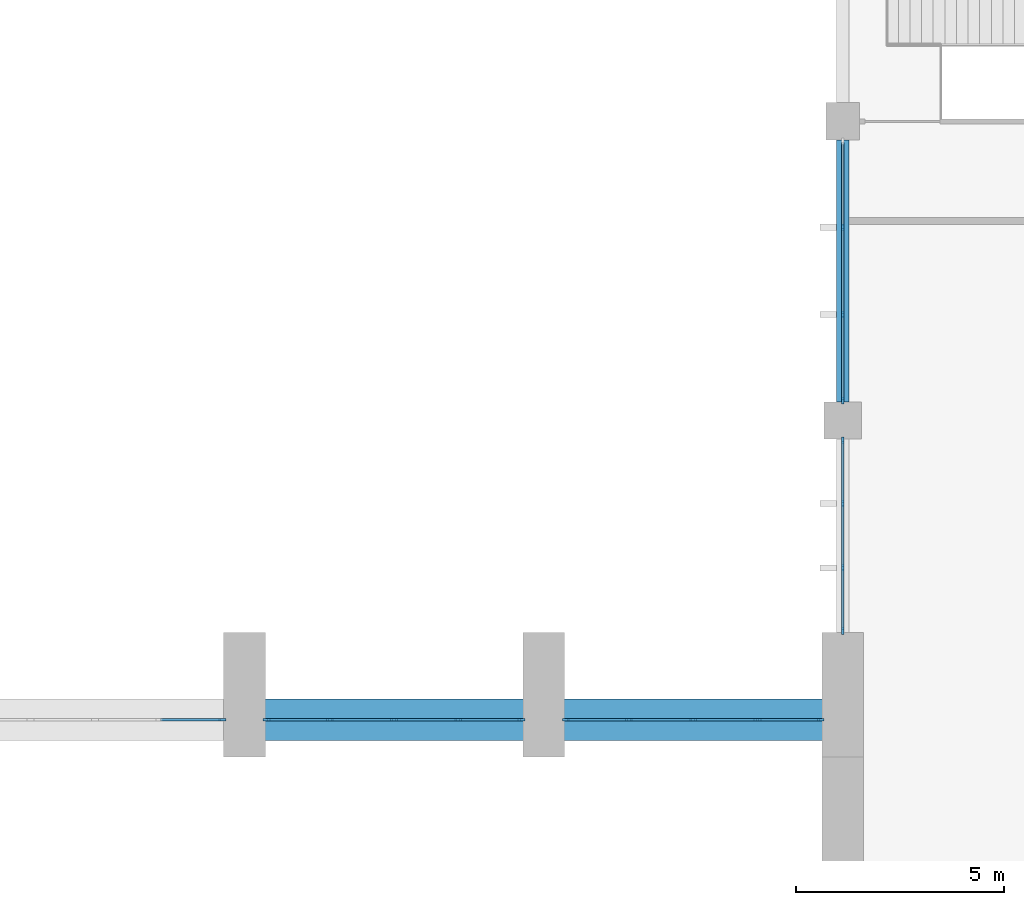
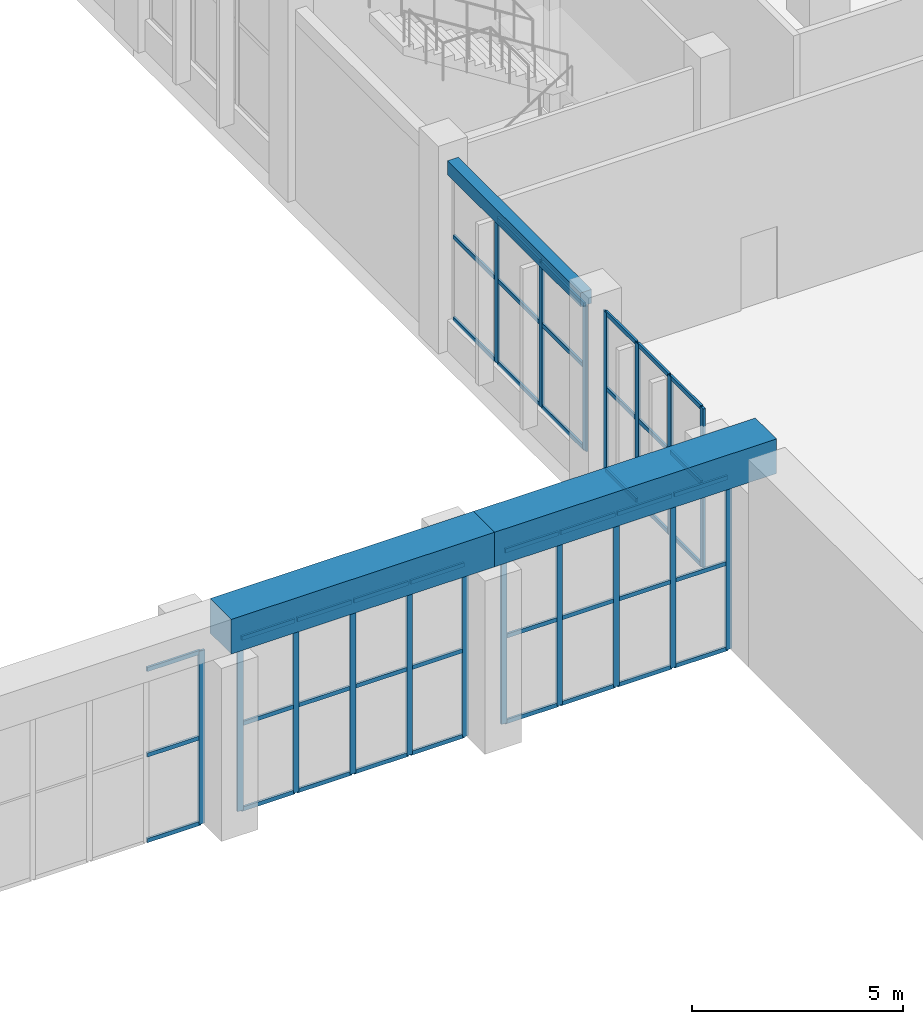
# One storey, part 13 of 44: 62 members, 3 beams, 5 elements without a shape of their own.
"""IFC4 building model written with IfcOpenShell, lengths in metres."""

from ifc_helpers import new_model, si_unit, direction, frame, origin, origin_2d, place, context, subcontext, project, spatial, rectangle, extrude, material, layer, layer_set, material_profile, profile_set, type_object, element, aggregate, save


model = new_model("IFC4")

# Units and contexts
model_context = context("Model", 3, precision=1e-05, world=origin(), true_north=direction((0.0, 1.0)))
body_context = subcontext(model_context, "Body", "Model", "MODEL_VIEW")
ifc_project = project(units=[si_unit("LENGTHUNIT", "METRE"), si_unit("AREAUNIT", "SQUARE_METRE"), si_unit("VOLUMEUNIT", "CUBIC_METRE"), si_unit("PLANEANGLEUNIT", "RADIAN"), si_unit("MASSUNIT", "GRAM", prefix="KILO")], contexts=[model_context])

# Site, building, storey
site_placement = place(None, origin())
site = spatial("IfcSite", under=ifc_project, at=site_placement, CompositionType="ELEMENT")
building_placement = place(site_placement, origin())
building = spatial("IfcBuilding", under=site, at=building_placement, Name="Vermilion Court Aquatics Centre", CompositionType="ELEMENT")
storey_placement = place(building_placement, frame((0.0, 0.0, 6.0)))
storey = spatial("IfcBuildingStorey", under=building, at=storey_placement, Name="L01", CompositionType="ELEMENT", Elevation=6.0)

# Curtain wall, member
ifc_material_1 = material(Name="Aluminium 6063-T5", Category="aluminium")
curtain_wall_type_1 = type_object("IfcCurtainWallType", Name="Envelope curtain wall hall clerestory L01", PredefinedType="NOTDEFINED", material=ifc_material_1)
curtain_wall_1_placement = place(storey_placement, origin())
curtain_wall_1 = element("IfcCurtainWall", 1, at=curtain_wall_1_placement, inside=storey, type_object=curtain_wall_type_1, Name="Hall clerestory bay 16 L01", PredefinedType="NOTDEFINED")
ifc_material_2 = material(Name="Aluminium 6063-T5", Category="aluminium")
ifc_material_profile_1 = material_profile(ifc_material_2, rectangle(XDim=0.06005859375, YDim=0.159912109375, at=origin_2d()), Name="AL 60x160")
ifc_profile_set_1 = profile_set([ifc_material_profile_1], Name="Aluminium 6063-T5")
member_type_1 = type_object("IfcMemberType", Name="Envelope aluminium mullion 60x160", PredefinedType="MULLION", material=ifc_profile_set_1)
member_1_placement = place(storey_placement, frame((129.070068359375, 64.800048828125, 0.0), z_axis=(0.0, 0.0, 1.0), x_axis=(0.0, 1.0, 0.0)))
member_1 = element("IfcMember", 2, at=member_1_placement, type_object=member_type_1, Name="ECW2 mullion 5", PredefinedType="MULLION", context=body_context, shape_type="SweptSolid", body=[
    extrude(rectangle(XDim=0.06005859375, YDim=0.159912109375, at=origin_2d()), origin(), (0.0, 0.0, 1.0), 5.0),
])

# Curtain wall, members
curtain_wall_2_placement = place(storey_placement, origin())
curtain_wall_2 = element("IfcCurtainWall", 3, at=curtain_wall_2_placement, inside=storey, type_object=curtain_wall_type_1, Name="Hall clerestory bay 17 L01", PredefinedType="NOTDEFINED")
member_2_placement = place(storey_placement, frame((130.1298828125, 64.800048828125, 0.0), z_axis=(0.0, 0.0, 1.0), x_axis=(0.0, 1.0, 0.0)))
member_2 = element("IfcMember", 4, at=member_2_placement, type_object=member_type_1, Name="ECW2 mullion 1", PredefinedType="MULLION", context=body_context, shape_type="SweptSolid", body=[
    extrude(rectangle(XDim=0.06005859375, YDim=0.159912109375, at=origin_2d()), origin(), (0.0, 0.0, 1.0), 5.0),
])
member_3_placement = place(storey_placement, frame((131.64990234375, 64.800048828125, 0.0), z_axis=(0.0, 0.0, 1.0), x_axis=(0.0, 1.0, 0.0)))
member_3 = element("IfcMember", 5, at=member_3_placement, type_object=member_type_1, Name="ECW2 mullion 2", PredefinedType="MULLION", context=body_context, shape_type="SweptSolid", body=[
    extrude(rectangle(XDim=0.06005859375, YDim=0.159912109375, at=origin_2d()), origin(), (0.0, 0.0, 1.0), 5.0),
])
member_4_placement = place(storey_placement, frame((133.199951171875, 64.800048828125, 0.0), z_axis=(0.0, 0.0, 1.0), x_axis=(0.0, 1.0, 0.0)))
member_4 = element("IfcMember", 6, at=member_4_placement, type_object=member_type_1, Name="ECW2 mullion 3", PredefinedType="MULLION", context=body_context, shape_type="SweptSolid", body=[
    extrude(rectangle(XDim=0.06005859375, YDim=0.159912109375, at=origin_2d()), origin(), (0.0, 0.0, 1.0), 5.0),
])
member_5_placement = place(storey_placement, frame((134.75, 64.800048828125, 0.0), z_axis=(0.0, 0.0, 1.0), x_axis=(0.0, 1.0, 0.0)))
member_5 = element("IfcMember", 7, at=member_5_placement, type_object=member_type_1, Name="ECW2 mullion 4", PredefinedType="MULLION", context=body_context, shape_type="SweptSolid", body=[
    extrude(rectangle(XDim=0.06005859375, YDim=0.159912109375, at=origin_2d()), origin(), (0.0, 0.0, 1.0), 5.0),
])
member_6_placement = place(storey_placement, frame((136.27001953125, 64.800048828125, 0.0), z_axis=(0.0, 0.0, 1.0), x_axis=(0.0, 1.0, 0.0)))
member_6 = element("IfcMember", 8, at=member_6_placement, type_object=member_type_1, Name="ECW2 mullion 5", PredefinedType="MULLION", context=body_context, shape_type="SweptSolid", body=[
    extrude(rectangle(XDim=0.06005859375, YDim=0.159912109375, at=origin_2d()), origin(), (0.0, 0.0, 1.0), 5.0),
])

curtain_wall_3_placement = place(storey_placement, origin())
curtain_wall_3 = element("IfcCurtainWall", 9, at=curtain_wall_3_placement, inside=storey, type_object=curtain_wall_type_1, Name="Hall clerestory bay 18 L01", PredefinedType="NOTDEFINED")
member_7_placement = place(storey_placement, frame((137.330078125, 64.800048828125, 0.0), z_axis=(0.0, 0.0, 1.0), x_axis=(0.0, 1.0, 0.0)))
member_7 = element("IfcMember", 10, at=member_7_placement, type_object=member_type_1, Name="ECW2 mullion 1", PredefinedType="MULLION", context=body_context, shape_type="SweptSolid", body=[
    extrude(rectangle(XDim=0.06005859375, YDim=0.159912109375, at=origin_2d()), origin(), (0.0, 0.0, 1.0), 5.0),
])
member_8_placement = place(storey_placement, frame((138.85009765625, 64.800048828125, 0.0), z_axis=(0.0, 0.0, 1.0), x_axis=(0.0, 1.0, 0.0)))
member_8 = element("IfcMember", 11, at=member_8_placement, type_object=member_type_1, Name="ECW2 mullion 2", PredefinedType="MULLION", context=body_context, shape_type="SweptSolid", body=[
    extrude(rectangle(XDim=0.06005859375, YDim=0.159912109375, at=origin_2d()), origin(), (0.0, 0.0, 1.0), 5.0),
])
member_9_placement = place(storey_placement, frame((140.39990234375, 64.800048828125, 0.0), z_axis=(0.0, 0.0, 1.0), x_axis=(0.0, 1.0, 0.0)))
member_9 = element("IfcMember", 12, at=member_9_placement, type_object=member_type_1, Name="ECW2 mullion 3", PredefinedType="MULLION", context=body_context, shape_type="SweptSolid", body=[
    extrude(rectangle(XDim=0.06005859375, YDim=0.159912109375, at=origin_2d()), origin(), (0.0, 0.0, 1.0), 5.0),
])
member_10_placement = place(storey_placement, frame((141.949951171875, 64.800048828125, 0.0), z_axis=(0.0, 0.0, 1.0), x_axis=(0.0, 1.0, 0.0)))
member_10 = element("IfcMember", 13, at=member_10_placement, type_object=member_type_1, Name="ECW2 mullion 4", PredefinedType="MULLION", context=body_context, shape_type="SweptSolid", body=[
    extrude(rectangle(XDim=0.06005859375, YDim=0.159912109375, at=origin_2d()), origin(), (0.0, 0.0, 1.0), 5.0),
])
member_11_placement = place(storey_placement, frame((143.469970703125, 64.800048828125, 0.0), z_axis=(0.0, 0.0, 1.0), x_axis=(0.0, 1.0, 0.0)))
member_11 = element("IfcMember", 14, at=member_11_placement, type_object=member_type_1, Name="ECW2 mullion 5", PredefinedType="MULLION", context=body_context, shape_type="SweptSolid", body=[
    extrude(rectangle(XDim=0.06005859375, YDim=0.159912109375, at=origin_2d()), origin(), (0.0, 0.0, 1.0), 5.0),
])

# Member
ifc_material_3 = material(Name="Aluminium 6063-T5", Category="aluminium")
ifc_material_profile_2 = material_profile(ifc_material_3, rectangle(XDim=0.06005859375, YDim=0.1201171875, at=origin_2d()), Name="AL 60x120")
ifc_profile_set_2 = profile_set([ifc_material_profile_2], Name="Aluminium 6063-T5")
member_type_2 = type_object("IfcMemberType", Name="Envelope aluminium transom 60x120", PredefinedType="USERDEFINED", material=ifc_profile_set_2)
member_12_placement = place(storey_placement, frame((127.580078125, 64.800048828125, 0.030029296875), z_axis=(1.0, 0.0, 0.0), x_axis=(0.0, 1.0, 0.0)))
member_12 = element("IfcMember", 15, at=member_12_placement, type_object=member_type_2, Name="ECW2 transom 4.1", ObjectType="TRANSOM", PredefinedType="USERDEFINED", context=body_context, shape_type="SweptSolid", body=[
    extrude(rectangle(XDim=0.06005859375, YDim=0.1201171875, at=origin_2d()), origin(), (0.0, 0.0, 1.0), 1.4599609375),
])

member_13_placement = place(storey_placement, frame((127.580078125, 64.800048828125, 2.5), z_axis=(1.0, 0.0, 0.0), x_axis=(0.0, 1.0, 0.0)))
member_13 = element("IfcMember", 16, at=member_13_placement, type_object=member_type_2, Name="ECW2 transom 4.2", ObjectType="TRANSOM", PredefinedType="USERDEFINED", context=body_context, shape_type="SweptSolid", body=[
    extrude(rectangle(XDim=0.06005859375, YDim=0.1201171875, at=origin_2d()), origin(), (0.0, 0.0, 1.0), 1.4599609375),
])

member_14_placement = place(storey_placement, frame((127.580078125, 64.800048828125, 4.969970703125), z_axis=(1.0, 0.0, 0.0), x_axis=(0.0, 1.0, 0.0)))
member_14 = element("IfcMember", 17, at=member_14_placement, type_object=member_type_2, Name="ECW2 transom 4.3", ObjectType="TRANSOM", PredefinedType="USERDEFINED", context=body_context, shape_type="SweptSolid", body=[
    extrude(rectangle(XDim=0.06005859375, YDim=0.1201171875, at=origin_2d()), origin(), (0.0, 0.0, 1.0), 1.4599609375),
])

aggregate(curtain_wall_1, [member_1, member_12, member_13, member_14])

member_15_placement = place(storey_placement, frame((130.159912109375, 64.800048828125, 0.030029296875), z_axis=(1.0, 0.0, 0.0), x_axis=(0.0, 1.0, 0.0)))
member_15 = element("IfcMember", 18, at=member_15_placement, type_object=member_type_2, Name="ECW2 transom 1.1", ObjectType="TRANSOM", PredefinedType="USERDEFINED", context=body_context, shape_type="SweptSolid", body=[
    extrude(rectangle(XDim=0.06005859375, YDim=0.1201171875, at=origin_2d()), origin(), (0.0, 0.0, 1.0), 1.460205078125),
])

member_16_placement = place(storey_placement, frame((130.159912109375, 64.800048828125, 2.5), z_axis=(1.0, 0.0, 0.0), x_axis=(0.0, 1.0, 0.0)))
member_16 = element("IfcMember", 19, at=member_16_placement, type_object=member_type_2, Name="ECW2 transom 1.2", ObjectType="TRANSOM", PredefinedType="USERDEFINED", context=body_context, shape_type="SweptSolid", body=[
    extrude(rectangle(XDim=0.06005859375, YDim=0.1201171875, at=origin_2d()), origin(), (0.0, 0.0, 1.0), 1.460205078125),
])

member_17_placement = place(storey_placement, frame((130.159912109375, 64.800048828125, 4.969970703125), z_axis=(1.0, 0.0, 0.0), x_axis=(0.0, 1.0, 0.0)))
member_17 = element("IfcMember", 20, at=member_17_placement, type_object=member_type_2, Name="ECW2 transom 1.3", ObjectType="TRANSOM", PredefinedType="USERDEFINED", context=body_context, shape_type="SweptSolid", body=[
    extrude(rectangle(XDim=0.06005859375, YDim=0.1201171875, at=origin_2d()), origin(), (0.0, 0.0, 1.0), 1.460205078125),
])

member_18_placement = place(storey_placement, frame((131.679931640625, 64.800048828125, 0.030029296875), z_axis=(1.0, 0.0, 0.0), x_axis=(0.0, 1.0, 0.0)))
member_18 = element("IfcMember", 21, at=member_18_placement, type_object=member_type_2, Name="ECW2 transom 2.1", ObjectType="TRANSOM", PredefinedType="USERDEFINED", context=body_context, shape_type="SweptSolid", body=[
    extrude(rectangle(XDim=0.06005859375, YDim=0.1201171875, at=origin_2d()), origin(), (0.0, 0.0, 1.0), 1.489990234375),
])

member_19_placement = place(storey_placement, frame((131.679931640625, 64.800048828125, 2.5), z_axis=(1.0, 0.0, 0.0), x_axis=(0.0, 1.0, 0.0)))
member_19 = element("IfcMember", 22, at=member_19_placement, type_object=member_type_2, Name="ECW2 transom 2.2", ObjectType="TRANSOM", PredefinedType="USERDEFINED", context=body_context, shape_type="SweptSolid", body=[
    extrude(rectangle(XDim=0.06005859375, YDim=0.1201171875, at=origin_2d()), origin(), (0.0, 0.0, 1.0), 1.489990234375),
])

member_20_placement = place(storey_placement, frame((131.679931640625, 64.800048828125, 4.969970703125), z_axis=(1.0, 0.0, 0.0), x_axis=(0.0, 1.0, 0.0)))
member_20 = element("IfcMember", 23, at=member_20_placement, type_object=member_type_2, Name="ECW2 transom 2.3", ObjectType="TRANSOM", PredefinedType="USERDEFINED", context=body_context, shape_type="SweptSolid", body=[
    extrude(rectangle(XDim=0.06005859375, YDim=0.1201171875, at=origin_2d()), origin(), (0.0, 0.0, 1.0), 1.489990234375),
])

member_21_placement = place(storey_placement, frame((133.22998046875, 64.800048828125, 0.030029296875), z_axis=(1.0, 0.0, 0.0), x_axis=(0.0, 1.0, 0.0)))
member_21 = element("IfcMember", 24, at=member_21_placement, type_object=member_type_2, Name="ECW2 transom 3.1", ObjectType="TRANSOM", PredefinedType="USERDEFINED", context=body_context, shape_type="SweptSolid", body=[
    extrude(rectangle(XDim=0.06005859375, YDim=0.1201171875, at=origin_2d()), origin(), (0.0, 0.0, 1.0), 1.489990234375),
])

member_22_placement = place(storey_placement, frame((133.22998046875, 64.800048828125, 2.5), z_axis=(1.0, 0.0, 0.0), x_axis=(0.0, 1.0, 0.0)))
member_22 = element("IfcMember", 25, at=member_22_placement, type_object=member_type_2, Name="ECW2 transom 3.2", ObjectType="TRANSOM", PredefinedType="USERDEFINED", context=body_context, shape_type="SweptSolid", body=[
    extrude(rectangle(XDim=0.06005859375, YDim=0.1201171875, at=origin_2d()), origin(), (0.0, 0.0, 1.0), 1.489990234375),
])

member_23_placement = place(storey_placement, frame((133.22998046875, 64.800048828125, 4.969970703125), z_axis=(1.0, 0.0, 0.0), x_axis=(0.0, 1.0, 0.0)))
member_23 = element("IfcMember", 26, at=member_23_placement, type_object=member_type_2, Name="ECW2 transom 3.3", ObjectType="TRANSOM", PredefinedType="USERDEFINED", context=body_context, shape_type="SweptSolid", body=[
    extrude(rectangle(XDim=0.06005859375, YDim=0.1201171875, at=origin_2d()), origin(), (0.0, 0.0, 1.0), 1.489990234375),
])

member_24_placement = place(storey_placement, frame((134.780029296875, 64.800048828125, 0.030029296875), z_axis=(1.0, 0.0, 0.0), x_axis=(0.0, 1.0, 0.0)))
member_24 = element("IfcMember", 27, at=member_24_placement, type_object=member_type_2, Name="ECW2 transom 4.1", ObjectType="TRANSOM", PredefinedType="USERDEFINED", context=body_context, shape_type="SweptSolid", body=[
    extrude(rectangle(XDim=0.06005859375, YDim=0.1201171875, at=origin_2d()), origin(), (0.0, 0.0, 1.0), 1.4599609375),
])

member_25_placement = place(storey_placement, frame((134.780029296875, 64.800048828125, 2.5), z_axis=(1.0, 0.0, 0.0), x_axis=(0.0, 1.0, 0.0)))
member_25 = element("IfcMember", 28, at=member_25_placement, type_object=member_type_2, Name="ECW2 transom 4.2", ObjectType="TRANSOM", PredefinedType="USERDEFINED", context=body_context, shape_type="SweptSolid", body=[
    extrude(rectangle(XDim=0.06005859375, YDim=0.1201171875, at=origin_2d()), origin(), (0.0, 0.0, 1.0), 1.4599609375),
])

member_26_placement = place(storey_placement, frame((134.780029296875, 64.800048828125, 4.969970703125), z_axis=(1.0, 0.0, 0.0), x_axis=(0.0, 1.0, 0.0)))
member_26 = element("IfcMember", 29, at=member_26_placement, type_object=member_type_2, Name="ECW2 transom 4.3", ObjectType="TRANSOM", PredefinedType="USERDEFINED", context=body_context, shape_type="SweptSolid", body=[
    extrude(rectangle(XDim=0.06005859375, YDim=0.1201171875, at=origin_2d()), origin(), (0.0, 0.0, 1.0), 1.4599609375),
])

aggregate(curtain_wall_2, [member_2, member_3, member_4, member_5, member_6, member_15, member_16, member_17, member_18, member_19, member_20, member_21, member_22, member_23, member_24, member_25, member_26])

member_27_placement = place(storey_placement, frame((137.360107421875, 64.800048828125, 0.030029296875), z_axis=(1.0, 0.0, 0.0), x_axis=(0.0, 1.0, 0.0)))
member_27 = element("IfcMember", 30, at=member_27_placement, type_object=member_type_2, Name="ECW2 transom 1.1", ObjectType="TRANSOM", PredefinedType="USERDEFINED", context=body_context, shape_type="SweptSolid", body=[
    extrude(rectangle(XDim=0.06005859375, YDim=0.1201171875, at=origin_2d()), origin(), (0.0, 0.0, 1.0), 1.4599609375),
])

member_28_placement = place(storey_placement, frame((137.360107421875, 64.800048828125, 2.5), z_axis=(1.0, 0.0, 0.0), x_axis=(0.0, 1.0, 0.0)))
member_28 = element("IfcMember", 31, at=member_28_placement, type_object=member_type_2, Name="ECW2 transom 1.2", ObjectType="TRANSOM", PredefinedType="USERDEFINED", context=body_context, shape_type="SweptSolid", body=[
    extrude(rectangle(XDim=0.06005859375, YDim=0.1201171875, at=origin_2d()), origin(), (0.0, 0.0, 1.0), 1.4599609375),
])

member_29_placement = place(storey_placement, frame((137.360107421875, 64.800048828125, 4.969970703125), z_axis=(1.0, 0.0, 0.0), x_axis=(0.0, 1.0, 0.0)))
member_29 = element("IfcMember", 32, at=member_29_placement, type_object=member_type_2, Name="ECW2 transom 1.3", ObjectType="TRANSOM", PredefinedType="USERDEFINED", context=body_context, shape_type="SweptSolid", body=[
    extrude(rectangle(XDim=0.06005859375, YDim=0.1201171875, at=origin_2d()), origin(), (0.0, 0.0, 1.0), 1.4599609375),
])

member_30_placement = place(storey_placement, frame((138.8798828125, 64.800048828125, 0.030029296875), z_axis=(1.0, 0.0, 0.0), x_axis=(0.0, 1.0, 0.0)))
member_30 = element("IfcMember", 33, at=member_30_placement, type_object=member_type_2, Name="ECW2 transom 2.1", ObjectType="TRANSOM", PredefinedType="USERDEFINED", context=body_context, shape_type="SweptSolid", body=[
    extrude(rectangle(XDim=0.06005859375, YDim=0.1201171875, at=origin_2d()), origin(), (0.0, 0.0, 1.0), 1.490234375),
])

member_31_placement = place(storey_placement, frame((138.8798828125, 64.800048828125, 2.5), z_axis=(1.0, 0.0, 0.0), x_axis=(0.0, 1.0, 0.0)))
member_31 = element("IfcMember", 34, at=member_31_placement, type_object=member_type_2, Name="ECW2 transom 2.2", ObjectType="TRANSOM", PredefinedType="USERDEFINED", context=body_context, shape_type="SweptSolid", body=[
    extrude(rectangle(XDim=0.06005859375, YDim=0.1201171875, at=origin_2d()), origin(), (0.0, 0.0, 1.0), 1.490234375),
])

member_32_placement = place(storey_placement, frame((138.8798828125, 64.800048828125, 4.969970703125), z_axis=(1.0, 0.0, 0.0), x_axis=(0.0, 1.0, 0.0)))
member_32 = element("IfcMember", 35, at=member_32_placement, type_object=member_type_2, Name="ECW2 transom 2.3", ObjectType="TRANSOM", PredefinedType="USERDEFINED", context=body_context, shape_type="SweptSolid", body=[
    extrude(rectangle(XDim=0.06005859375, YDim=0.1201171875, at=origin_2d()), origin(), (0.0, 0.0, 1.0), 1.490234375),
])

member_33_placement = place(storey_placement, frame((140.429931640625, 64.800048828125, 0.030029296875), z_axis=(1.0, 0.0, 0.0), x_axis=(0.0, 1.0, 0.0)))
member_33 = element("IfcMember", 36, at=member_33_placement, type_object=member_type_2, Name="ECW2 transom 3.1", ObjectType="TRANSOM", PredefinedType="USERDEFINED", context=body_context, shape_type="SweptSolid", body=[
    extrude(rectangle(XDim=0.06005859375, YDim=0.1201171875, at=origin_2d()), origin(), (0.0, 0.0, 1.0), 1.489990234375),
])

member_34_placement = place(storey_placement, frame((140.429931640625, 64.800048828125, 2.5), z_axis=(1.0, 0.0, 0.0), x_axis=(0.0, 1.0, 0.0)))
member_34 = element("IfcMember", 37, at=member_34_placement, type_object=member_type_2, Name="ECW2 transom 3.2", ObjectType="TRANSOM", PredefinedType="USERDEFINED", context=body_context, shape_type="SweptSolid", body=[
    extrude(rectangle(XDim=0.06005859375, YDim=0.1201171875, at=origin_2d()), origin(), (0.0, 0.0, 1.0), 1.489990234375),
])

member_35_placement = place(storey_placement, frame((140.429931640625, 64.800048828125, 4.969970703125), z_axis=(1.0, 0.0, 0.0), x_axis=(0.0, 1.0, 0.0)))
member_35 = element("IfcMember", 38, at=member_35_placement, type_object=member_type_2, Name="ECW2 transom 3.3", ObjectType="TRANSOM", PredefinedType="USERDEFINED", context=body_context, shape_type="SweptSolid", body=[
    extrude(rectangle(XDim=0.06005859375, YDim=0.1201171875, at=origin_2d()), origin(), (0.0, 0.0, 1.0), 1.489990234375),
])

member_36_placement = place(storey_placement, frame((141.97998046875, 64.800048828125, 0.030029296875), z_axis=(1.0, 0.0, 0.0), x_axis=(0.0, 1.0, 0.0)))
member_36 = element("IfcMember", 39, at=member_36_placement, type_object=member_type_2, Name="ECW2 transom 4.1", ObjectType="TRANSOM", PredefinedType="USERDEFINED", context=body_context, shape_type="SweptSolid", body=[
    extrude(rectangle(XDim=0.06005859375, YDim=0.1201171875, at=origin_2d()), origin(), (0.0, 0.0, 1.0), 1.4599609375),
])

member_37_placement = place(storey_placement, frame((141.97998046875, 64.800048828125, 2.5), z_axis=(1.0, 0.0, 0.0), x_axis=(0.0, 1.0, 0.0)))
member_37 = element("IfcMember", 40, at=member_37_placement, type_object=member_type_2, Name="ECW2 transom 4.2", ObjectType="TRANSOM", PredefinedType="USERDEFINED", context=body_context, shape_type="SweptSolid", body=[
    extrude(rectangle(XDim=0.06005859375, YDim=0.1201171875, at=origin_2d()), origin(), (0.0, 0.0, 1.0), 1.4599609375),
])

member_38_placement = place(storey_placement, frame((141.97998046875, 64.800048828125, 4.969970703125), z_axis=(1.0, 0.0, 0.0), x_axis=(0.0, 1.0, 0.0)))
member_38 = element("IfcMember", 41, at=member_38_placement, type_object=member_type_2, Name="ECW2 transom 4.3", ObjectType="TRANSOM", PredefinedType="USERDEFINED", context=body_context, shape_type="SweptSolid", body=[
    extrude(rectangle(XDim=0.06005859375, YDim=0.1201171875, at=origin_2d()), origin(), (0.0, 0.0, 1.0), 1.4599609375),
])

aggregate(curtain_wall_3, [member_7, member_8, member_9, member_10, member_11, member_27, member_28, member_29, member_30, member_31, member_32, member_33, member_34, member_35, member_36, member_37, member_38])

# Curtain wall, members
ifc_material_4 = material(Name="Aluminium 6063-T5", Category="aluminium")
ifc_layer = layer(ifc_material_4, 0.14990234375)
ifc_layer_set = layer_set([ifc_layer], Name="Podium curtain wall bay, 1800 module")
curtain_wall_type_2 = type_object("IfcCurtainWallType", Name="Podium curtain wall bay, 1800 module", PredefinedType="NOTDEFINED", material=ifc_layer_set)
curtain_wall_4_placement = place(storey_placement, origin())
curtain_wall_4 = element("IfcCurtainWall", 42, at=curtain_wall_4_placement, inside=storey, type_object=curtain_wall_type_2, Name="Curtain wall L01", PredefinedType="NOTDEFINED")
ifc_material_5 = material(Name="Aluminium 6063-T5", Category="aluminium")
ifc_material_profile_3 = material_profile(ifc_material_5, rectangle(XDim=0.06005859375, YDim=0.159912109375, at=origin_2d()), Name="Mullion 60x160")
ifc_profile_set_3 = profile_set([ifc_material_profile_3], Name="Aluminium 6063-T5")
member_type_3 = type_object("IfcMemberType", Name="Podium curtain wall mullion 60x160", PredefinedType="MULLION", material=ifc_profile_set_3)
member_39_placement = place(storey_placement, frame((144.0, 66.929931640625, 0.89990234375), z_axis=(0.0, 0.0, 1.0), x_axis=(-1.0, 0.0, 0.0)))
member_39 = element("IfcMember", 43, at=member_39_placement, type_object=member_type_3, Name="PG2 mullion 1", PredefinedType="MULLION", context=body_context, shape_type="SweptSolid", body=[
    extrude(rectangle(XDim=0.06005859375, YDim=0.159912109375, at=origin_2d()), origin(), (0.0, 0.0, 1.0), 4.60009765625),
])
member_40_placement = place(storey_placement, frame((144.0, 68.449951171875, 0.89990234375), z_axis=(0.0, 0.0, 1.0), x_axis=(-1.0, 0.0, 0.0)))
member_40 = element("IfcMember", 44, at=member_40_placement, type_object=member_type_3, Name="PG2 mullion 2", PredefinedType="MULLION", context=body_context, shape_type="SweptSolid", body=[
    extrude(rectangle(XDim=0.06005859375, YDim=0.159912109375, at=origin_2d()), origin(), (0.0, 0.0, 1.0), 4.60009765625),
])
member_41_placement = place(storey_placement, frame((144.0, 70.0, 0.89990234375), z_axis=(0.0, 0.0, 1.0), x_axis=(-1.0, 0.0, 0.0)))
member_41 = element("IfcMember", 45, at=member_41_placement, type_object=member_type_3, Name="PG2 mullion 3", PredefinedType="MULLION", context=body_context, shape_type="SweptSolid", body=[
    extrude(rectangle(XDim=0.06005859375, YDim=0.159912109375, at=origin_2d()), origin(), (0.0, 0.0, 1.0), 4.60009765625),
])
member_42_placement = place(storey_placement, frame((144.0, 71.52001953125, 0.89990234375), z_axis=(0.0, 0.0, 1.0), x_axis=(-1.0, 0.0, 0.0)))
member_42 = element("IfcMember", 46, at=member_42_placement, type_object=member_type_3, Name="PG2 mullion 4", PredefinedType="MULLION", context=body_context, shape_type="SweptSolid", body=[
    extrude(rectangle(XDim=0.06005859375, YDim=0.159912109375, at=origin_2d()), origin(), (0.0, 0.0, 1.0), 4.60009765625),
])

curtain_wall_5_placement = place(storey_placement, origin())
curtain_wall_5 = element("IfcCurtainWall", 47, at=curtain_wall_5_placement, inside=storey, type_object=curtain_wall_type_2, Name="Curtain wall L01", PredefinedType="NOTDEFINED")
member_43_placement = place(storey_placement, frame((144.0, 72.47998046875, 0.89990234375), z_axis=(0.0, 0.0, 1.0), x_axis=(-1.0, 0.0, 0.0)))
member_43 = element("IfcMember", 48, at=member_43_placement, type_object=member_type_3, Name="PG2 mullion 1", PredefinedType="MULLION", context=body_context, shape_type="SweptSolid", body=[
    extrude(rectangle(XDim=0.06005859375, YDim=0.159912109375, at=origin_2d()), origin(), (0.0, 0.0, 1.0), 4.2001953125),
])
member_44_placement = place(storey_placement, frame((144.0, 74.550048828125, 0.89990234375), z_axis=(0.0, 0.0, 1.0), x_axis=(-1.0, 0.0, 0.0)))
member_44 = element("IfcMember", 49, at=member_44_placement, type_object=member_type_3, Name="PG2 mullion 2", PredefinedType="MULLION", context=body_context, shape_type="SweptSolid", body=[
    extrude(rectangle(XDim=0.06005859375, YDim=0.159912109375, at=origin_2d()), origin(), (0.0, 0.0, 1.0), 4.2001953125),
])
member_45_placement = place(storey_placement, frame((144.0, 76.64990234375, 0.89990234375), z_axis=(0.0, 0.0, 1.0), x_axis=(-1.0, 0.0, 0.0)))
member_45 = element("IfcMember", 50, at=member_45_placement, type_object=member_type_3, Name="PG2 mullion 3", PredefinedType="MULLION", context=body_context, shape_type="SweptSolid", body=[
    extrude(rectangle(XDim=0.06005859375, YDim=0.159912109375, at=origin_2d()), origin(), (0.0, 0.0, 1.0), 4.2001953125),
])

# Member
ifc_material_6 = material(Name="Aluminium 6063-T5", Category="aluminium")
ifc_material_profile_4 = material_profile(ifc_material_6, rectangle(XDim=0.06005859375, YDim=0.1201171875, at=origin_2d()), Name="Transom 60x120")
ifc_profile_set_4 = profile_set([ifc_material_profile_4], Name="Aluminium 6063-T5")
member_type_4 = type_object("IfcMemberType", Name="Podium curtain wall transom 60x120", PredefinedType="USERDEFINED", material=ifc_profile_set_4)
member_46_placement = place(storey_placement, frame((144.0, 66.9599609375, 0.929931640625), z_axis=(0.0, 1.0, 0.0), x_axis=(-1.0, 0.0, 0.0)))
member_46 = element("IfcMember", 51, at=member_46_placement, type_object=member_type_4, Name="PG2 transom 1.1", ObjectType="TRANSOM", PredefinedType="USERDEFINED", context=body_context, shape_type="SweptSolid", body=[
    extrude(rectangle(XDim=0.06005859375, YDim=0.1201171875, at=origin_2d()), origin(), (0.0, 0.0, 1.0), 1.4599609375),
])

member_47_placement = place(storey_placement, frame((144.0, 66.9599609375, 3.300048828125), z_axis=(0.0, 1.0, 0.0), x_axis=(-1.0, 0.0, 0.0)))
member_47 = element("IfcMember", 52, at=member_47_placement, type_object=member_type_4, Name="PG2 transom 1.2", ObjectType="TRANSOM", PredefinedType="USERDEFINED", context=body_context, shape_type="SweptSolid", body=[
    extrude(rectangle(XDim=0.06005859375, YDim=0.1201171875, at=origin_2d()), origin(), (0.0, 0.0, 1.0), 1.4599609375),
])

member_48_placement = place(storey_placement, frame((144.0, 66.9599609375, 5.469970703125), z_axis=(0.0, 1.0, 0.0), x_axis=(-1.0, 0.0, 0.0)))
member_48 = element("IfcMember", 53, at=member_48_placement, type_object=member_type_4, Name="PG2 transom 1.3", ObjectType="TRANSOM", PredefinedType="USERDEFINED", context=body_context, shape_type="SweptSolid", body=[
    extrude(rectangle(XDim=0.06005859375, YDim=0.1201171875, at=origin_2d()), origin(), (0.0, 0.0, 1.0), 1.4599609375),
])

member_49_placement = place(storey_placement, frame((144.0, 68.47998046875, 0.929931640625), z_axis=(0.0, 1.0, 0.0), x_axis=(-1.0, 0.0, 0.0)))
member_49 = element("IfcMember", 54, at=member_49_placement, type_object=member_type_4, Name="PG2 transom 2.1", ObjectType="TRANSOM", PredefinedType="USERDEFINED", context=body_context, shape_type="SweptSolid", body=[
    extrude(rectangle(XDim=0.06005859375, YDim=0.1201171875, at=origin_2d()), origin(), (0.0, 0.0, 1.0), 1.489990234375),
])

member_50_placement = place(storey_placement, frame((144.0, 68.47998046875, 3.300048828125), z_axis=(0.0, 1.0, 0.0), x_axis=(-1.0, 0.0, 0.0)))
member_50 = element("IfcMember", 55, at=member_50_placement, type_object=member_type_4, Name="PG2 transom 2.2", ObjectType="TRANSOM", PredefinedType="USERDEFINED", context=body_context, shape_type="SweptSolid", body=[
    extrude(rectangle(XDim=0.06005859375, YDim=0.1201171875, at=origin_2d()), origin(), (0.0, 0.0, 1.0), 1.489990234375),
])

member_51_placement = place(storey_placement, frame((144.0, 68.47998046875, 5.469970703125), z_axis=(0.0, 1.0, 0.0), x_axis=(-1.0, 0.0, 0.0)))
member_51 = element("IfcMember", 56, at=member_51_placement, type_object=member_type_4, Name="PG2 transom 2.3", ObjectType="TRANSOM", PredefinedType="USERDEFINED", context=body_context, shape_type="SweptSolid", body=[
    extrude(rectangle(XDim=0.06005859375, YDim=0.1201171875, at=origin_2d()), origin(), (0.0, 0.0, 1.0), 1.489990234375),
])

member_52_placement = place(storey_placement, frame((144.0, 70.030029296875, 0.929931640625), z_axis=(0.0, 1.0, 0.0), x_axis=(-1.0, 0.0, 0.0)))
member_52 = element("IfcMember", 57, at=member_52_placement, type_object=member_type_4, Name="PG2 transom 3.1", ObjectType="TRANSOM", PredefinedType="USERDEFINED", context=body_context, shape_type="SweptSolid", body=[
    extrude(rectangle(XDim=0.06005859375, YDim=0.1201171875, at=origin_2d()), origin(), (0.0, 0.0, 1.0), 1.4599609375),
])

member_53_placement = place(storey_placement, frame((144.0, 70.030029296875, 3.300048828125), z_axis=(0.0, 1.0, 0.0), x_axis=(-1.0, 0.0, 0.0)))
member_53 = element("IfcMember", 58, at=member_53_placement, type_object=member_type_4, Name="PG2 transom 3.2", ObjectType="TRANSOM", PredefinedType="USERDEFINED", context=body_context, shape_type="SweptSolid", body=[
    extrude(rectangle(XDim=0.06005859375, YDim=0.1201171875, at=origin_2d()), origin(), (0.0, 0.0, 1.0), 1.4599609375),
])

member_54_placement = place(storey_placement, frame((144.0, 70.030029296875, 5.469970703125), z_axis=(0.0, 1.0, 0.0), x_axis=(-1.0, 0.0, 0.0)))
member_54 = element("IfcMember", 59, at=member_54_placement, type_object=member_type_4, Name="PG2 transom 3.3", ObjectType="TRANSOM", PredefinedType="USERDEFINED", context=body_context, shape_type="SweptSolid", body=[
    extrude(rectangle(XDim=0.06005859375, YDim=0.1201171875, at=origin_2d()), origin(), (0.0, 0.0, 1.0), 1.4599609375),
])

aggregate(curtain_wall_4, [member_39, member_40, member_41, member_42, member_46, member_47, member_48, member_49, member_50, member_51, member_52, member_53, member_54])

member_55_placement = place(storey_placement, frame((144.0, 72.510009765625, 0.929931640625), z_axis=(0.0, 1.0, 0.0), x_axis=(-1.0, 0.0, 0.0)))
member_55 = element("IfcMember", 60, at=member_55_placement, type_object=member_type_4, Name="PG2 transom 1.1", ObjectType="TRANSOM", PredefinedType="USERDEFINED", context=body_context, shape_type="SweptSolid", body=[
    extrude(rectangle(XDim=0.06005859375, YDim=0.1201171875, at=origin_2d()), origin(), (0.0, 0.0, 1.0), 2.010009765625),
])

member_56_placement = place(storey_placement, frame((144.0, 72.510009765625, 3.300048828125), z_axis=(0.0, 1.0, 0.0), x_axis=(-1.0, 0.0, 0.0)))
member_56 = element("IfcMember", 61, at=member_56_placement, type_object=member_type_4, Name="PG2 transom 1.2", ObjectType="TRANSOM", PredefinedType="USERDEFINED", context=body_context, shape_type="SweptSolid", body=[
    extrude(rectangle(XDim=0.06005859375, YDim=0.1201171875, at=origin_2d()), origin(), (0.0, 0.0, 1.0), 2.010009765625),
])

member_57_placement = place(storey_placement, frame((144.0, 72.510009765625, 5.070068359375), z_axis=(0.0, 1.0, 0.0), x_axis=(-1.0, 0.0, 0.0)))
member_57 = element("IfcMember", 62, at=member_57_placement, type_object=member_type_4, Name="PG2 transom 1.3", ObjectType="TRANSOM", PredefinedType="USERDEFINED", context=body_context, shape_type="SweptSolid", body=[
    extrude(rectangle(XDim=0.06005859375, YDim=0.1201171875, at=origin_2d()), origin(), (0.0, 0.0, 1.0), 2.010009765625),
])

member_58_placement = place(storey_placement, frame((144.0, 74.580078125, 0.929931640625), z_axis=(0.0, 1.0, 0.0), x_axis=(-1.0, 0.0, 0.0)))
member_58 = element("IfcMember", 63, at=member_58_placement, type_object=member_type_4, Name="PG2 transom 2.1", ObjectType="TRANSOM", PredefinedType="USERDEFINED", context=body_context, shape_type="SweptSolid", body=[
    extrude(rectangle(XDim=0.06005859375, YDim=0.1201171875, at=origin_2d()), origin(), (0.0, 0.0, 1.0), 2.0400390625),
])

member_59_placement = place(storey_placement, frame((144.0, 74.580078125, 3.300048828125), z_axis=(0.0, 1.0, 0.0), x_axis=(-1.0, 0.0, 0.0)))
member_59 = element("IfcMember", 64, at=member_59_placement, type_object=member_type_4, Name="PG2 transom 2.2", ObjectType="TRANSOM", PredefinedType="USERDEFINED", context=body_context, shape_type="SweptSolid", body=[
    extrude(rectangle(XDim=0.06005859375, YDim=0.1201171875, at=origin_2d()), origin(), (0.0, 0.0, 1.0), 2.0400390625),
])

member_60_placement = place(storey_placement, frame((144.0, 74.580078125, 5.070068359375), z_axis=(0.0, 1.0, 0.0), x_axis=(-1.0, 0.0, 0.0)))
member_60 = element("IfcMember", 65, at=member_60_placement, type_object=member_type_4, Name="PG2 transom 2.3", ObjectType="TRANSOM", PredefinedType="USERDEFINED", context=body_context, shape_type="SweptSolid", body=[
    extrude(rectangle(XDim=0.06005859375, YDim=0.1201171875, at=origin_2d()), origin(), (0.0, 0.0, 1.0), 2.0400390625),
])

member_61_placement = place(storey_placement, frame((144.0, 76.679931640625, 0.929931640625), z_axis=(0.0, 1.0, 0.0), x_axis=(-1.0, 0.0, 0.0)))
member_61 = element("IfcMember", 66, at=member_61_placement, type_object=member_type_4, Name="PG2 transom 3.1", ObjectType="TRANSOM", PredefinedType="USERDEFINED", context=body_context, shape_type="SweptSolid", body=[
    extrude(rectangle(XDim=0.06005859375, YDim=0.1201171875, at=origin_2d()), origin(), (0.0, 0.0, 1.0), 2.010009765625),
])

member_62_placement = place(storey_placement, frame((144.0, 76.679931640625, 3.300048828125), z_axis=(0.0, 1.0, 0.0), x_axis=(-1.0, 0.0, 0.0)))
member_62 = element("IfcMember", 67, at=member_62_placement, type_object=member_type_4, Name="PG2 transom 3.2", ObjectType="TRANSOM", PredefinedType="USERDEFINED", context=body_context, shape_type="SweptSolid", body=[
    extrude(rectangle(XDim=0.06005859375, YDim=0.1201171875, at=origin_2d()), origin(), (0.0, 0.0, 1.0), 2.010009765625),
])

aggregate(curtain_wall_5, [member_43, member_44, member_45, member_55, member_56, member_57, member_58, member_59, member_60, member_61, member_62])

# Beams
ifc_material_7 = material(Name="Concrete 5000 psi", Category="concrete")
ifc_material_profile_5 = material_profile(ifc_material_7, rectangle(XDim=0.300048828125, YDim=0.39990234375, at=origin_2d()), Name="RC 300x400")
ifc_profile_set_5 = profile_set([ifc_material_profile_5], Name="Concrete 5000 psi")
beam_type_1 = type_object("IfcBeamType", Name="Podium spandrel beam RC 300x400", PredefinedType="BEAM", material=ifc_profile_set_5)
beam_1_placement = place(storey_placement, frame((144.0, 72.449951171875, 5.300048828125), z_axis=(0.0, 1.0, 0.0), x_axis=(-1.0, 0.0, 0.0)))
element("IfcBeam", 68, at=beam_1_placement, inside=storey, type_object=beam_type_1, Name="Spandrel beam L01", PredefinedType="BEAM", context=body_context, shape_type="SweptSolid", body=[
    extrude(rectangle(XDim=0.300048828125, YDim=0.39990234375, at=origin_2d()), origin(), (0.0, 0.0, 1.0), 6.300048828125),
])
ifc_material_8 = material(Name="Concrete 5000 psi", Category="concrete")
ifc_material_profile_6 = material_profile(ifc_material_8, rectangle(XDim=1.0, YDim=1.0, at=origin_2d()), Name="RC 1000x1000")
ifc_profile_set_6 = profile_set([ifc_material_profile_6], Name="Concrete 5000 psi")
beam_type_2 = type_object("IfcBeamType", Name="Roof springing tie beam north (clear span between piers)", PredefinedType="BEAM", material=ifc_profile_set_6)
beam_2_placement = place(storey_placement, frame((129.60009765625, 64.800048828125, 5.5), z_axis=(1.0, 0.0, 0.0), x_axis=(0.0, 1.0, 0.0)))
element("IfcBeam", 69, at=beam_2_placement, inside=storey, type_object=beam_type_2, Name="Springing tie beam STN17", PredefinedType="BEAM", context=body_context, shape_type="SweptSolid", body=[
    extrude(rectangle(XDim=1.0, YDim=1.0, at=origin_2d()), origin(), (0.0, 0.0, 1.0), 7.199951171875),
])
beam_3_placement = place(storey_placement, frame((136.800048828125, 64.800048828125, 5.5), z_axis=(1.0, 0.0, 0.0), x_axis=(0.0, 1.0, 0.0)))
element("IfcBeam", 70, at=beam_3_placement, inside=storey, type_object=beam_type_2, Name="Springing tie beam STN18", PredefinedType="BEAM", context=body_context, shape_type="SweptSolid", body=[
    extrude(rectangle(XDim=1.0, YDim=1.0, at=origin_2d()), origin(), (0.0, 0.0, 1.0), 7.699951171875),
])

save(model, "model.ifc")
